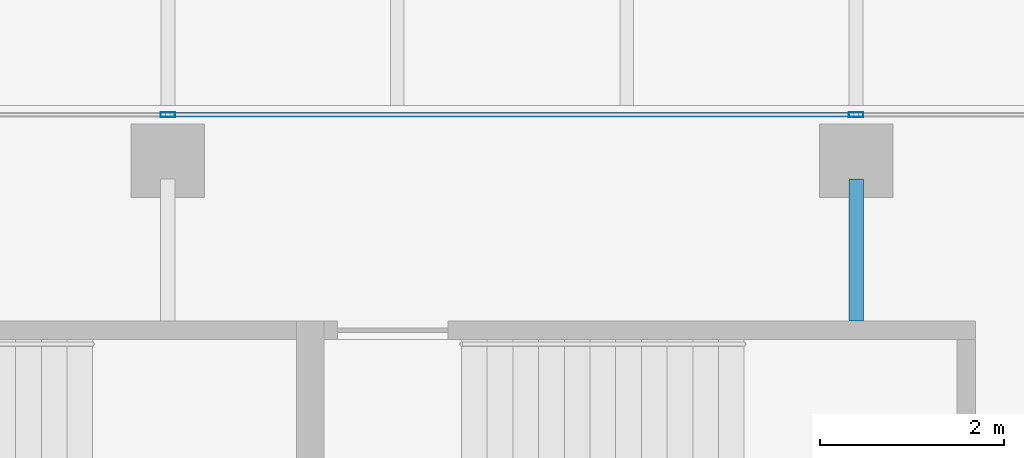
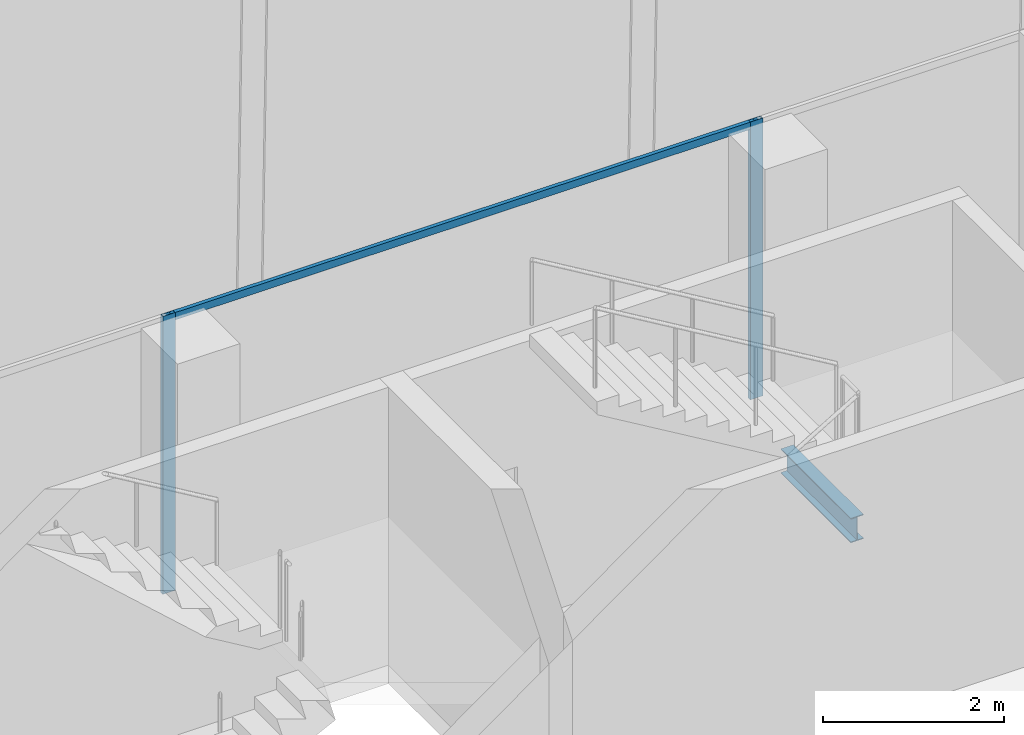
# One storey, part 15 of 32: 3 members, 1 beam, 1 element without a shape of its own.
"""IFC4 building model written with IfcOpenShell, lengths in metres."""

from ifc_helpers import new_model, si_unit, direction, frame, origin, origin_2d, place, context, subcontext, project, spatial, hollow_rectangle, i_section, extrude, source, transform, mapped, material, material_profile, profile_set, type_object, element, aggregate, save


model = new_model("IFC4")

# Units and contexts
model_context = context("Model", 3, precision=1e-05, world=origin(), true_north=direction((0.0, 1.0)))
body_context = subcontext(model_context, "Body", "Model", "MODEL_VIEW")
ifc_project = project(units=[si_unit("LENGTHUNIT", "METRE"), si_unit("AREAUNIT", "SQUARE_METRE"), si_unit("VOLUMEUNIT", "CUBIC_METRE"), si_unit("PLANEANGLEUNIT", "RADIAN"), si_unit("MASSUNIT", "GRAM", prefix="KILO")], contexts=[model_context])

# Site, building, storey
site_placement = place(None, origin())
site = spatial("IfcSite", under=ifc_project, at=site_placement, CompositionType="ELEMENT")
building_placement = place(site_placement, origin())
building = spatial("IfcBuilding", under=site, at=building_placement, Name="Khomas Fold Tower", CompositionType="ELEMENT")
storey_placement = place(building_placement, frame((0.0, 0.0, 282.199951171875)))
storey = spatial("IfcBuildingStorey", under=building, at=storey_placement, Name="L63", CompositionType="ELEMENT", Elevation=282.199951171875)

# Beam
ifc_material_1 = material(Name="Steel S355", Category="steel")
ifc_material_profile_1 = material_profile(ifc_material_1, i_section(OverallWidth=0.159912109375, OverallDepth=0.330078125, WebThickness=0.007568359375, FlangeThickness=0.011474609375, at=origin_2d()), Name="IPE 330")
ifc_profile_set_1 = profile_set([ifc_material_profile_1], Name="Steel S355")
beam_type = type_object("IfcBeamType", Name="IPE 330 beam JB1", PredefinedType="BEAM", material=ifc_profile_set_1)
shared_shape_1 = source(origin(), body_context, "Body", "SweptSolid", [
    extrude(i_section(OverallWidth=0.159912109375, OverallDepth=0.330078125, WebThickness=0.007568359375, FlangeThickness=0.011474609375, at=origin_2d()), origin(), (0.0, 0.0, 1.0), 1.550048828125),
])
beam_placement = place(storey_placement, frame((27.0, 45.64990234375, -0.4150390625), z_axis=(0.0, 1.0, 0.0), x_axis=(-1.0, 0.0, 0.0)))
element("IfcBeam", 1, at=beam_placement, inside=storey, type_object=beam_type, Name="JB1", PredefinedType="BEAM", context=body_context, shape_type="MappedRepresentation", body=[
    mapped(shared_shape_1, transform((0.0, 0.0, 0.0))),
])

# Curtain wall, members
ifc_material_2 = material(Name="Aluminium framed double glazing", Category="aluminium")
curtain_wall_type = type_object("IfcCurtainWallType", Name="SK-Unitised clear-glass wall, upper floors CW3", PredefinedType="NOTDEFINED", material=ifc_material_2)
curtain_wall_placement = place(storey_placement, origin())
curtain_wall = element("IfcCurtainWall", 2, at=curtain_wall_placement, inside=storey, type_object=curtain_wall_type, Name="CW3 run L63 06-1", PredefinedType="NOTDEFINED")
ifc_material_3 = material(Name="Aluminium", Category="aluminium")
ifc_material_profile_2 = material_profile(ifc_material_3, hollow_rectangle(XDim=0.050048828125, YDim=0.159912109375, WallThickness=0.00390625, at=origin_2d()), Name="SK-Unitised clear-glass wall, upper floors mullion CW3-M")
ifc_profile_set_2 = profile_set([ifc_material_profile_2], Name="Aluminium")
member_type_1 = type_object("IfcMemberType", Name="SK-Unitised clear-glass wall, upper floors mullion CW3-M", PredefinedType="MULLION", material=ifc_profile_set_2)
shared_shape_2 = source(origin(), body_context, "Body", "SweptSolid", [
    extrude(hollow_rectangle(XDim=0.050048828125, YDim=0.159912109375, WallThickness=0.00390625, at=origin_2d()), origin(), (0.0, 0.0, 1.0), 3.75),
])
member_1_placement = place(storey_placement, frame((27.0, 47.89990234375, 0.0), z_axis=(0.0, 0.0, 1.0), x_axis=(0.0, -1.0, 0.0)))
member_1 = element("IfcMember", 3, at=member_1_placement, type_object=member_type_1, Name="CW3 mullion 3", PredefinedType="MULLION", context=body_context, shape_type="MappedRepresentation", body=[
    mapped(shared_shape_2, transform((0.0, 0.0, 0.0))),
])
member_2_placement = place(storey_placement, frame((19.5, 47.89990234375, 0.0), z_axis=(0.0, 0.0, 1.0), x_axis=(0.0, -1.0, 0.0)))
member_2 = element("IfcMember", 4, at=member_2_placement, type_object=member_type_1, Name="CW3 mullion 4", PredefinedType="MULLION", context=body_context, shape_type="MappedRepresentation", body=[
    mapped(shared_shape_2, transform((0.0, 0.0, 0.0))),
])
ifc_material_4 = material(Name="Aluminium", Category="aluminium")
ifc_material_profile_3 = material_profile(ifc_material_4, hollow_rectangle(XDim=0.050048828125, YDim=0.10009765625, WallThickness=0.00390625, at=origin_2d()), Name="SK-Unitised clear-glass wall, upper floors transom CW3-T")
ifc_profile_set_3 = profile_set([ifc_material_profile_3], Name="Aluminium")
member_type_2 = type_object("IfcMemberType", Name="SK-Unitised clear-glass wall, upper floors transom CW3-T", PredefinedType="USERDEFINED", material=ifc_profile_set_3)
shared_shape_3 = source(origin(), body_context, "Body", "SweptSolid", [
    extrude(hollow_rectangle(XDim=0.050048828125, YDim=0.10009765625, WallThickness=0.00390625, at=origin_2d()), origin(), (0.0, 0.0, 1.0), 7.4501953125),
])
member_3_placement = place(storey_placement, frame((26.97509765625, 47.89990234375, 3.699951171875), z_axis=(-1.0, 0.0, 0.0), x_axis=(0.0, -1.0, 0.0)))
member_3 = element("IfcMember", 5, at=member_3_placement, type_object=member_type_2, Name="CW3 transom 3", ObjectType="TRANSOM", PredefinedType="USERDEFINED", context=body_context, shape_type="MappedRepresentation", body=[
    mapped(shared_shape_3, transform((0.0, 0.0, 0.0))),
])
aggregate(curtain_wall, [member_1, member_2, member_3])

save(model, "model.ifc")
